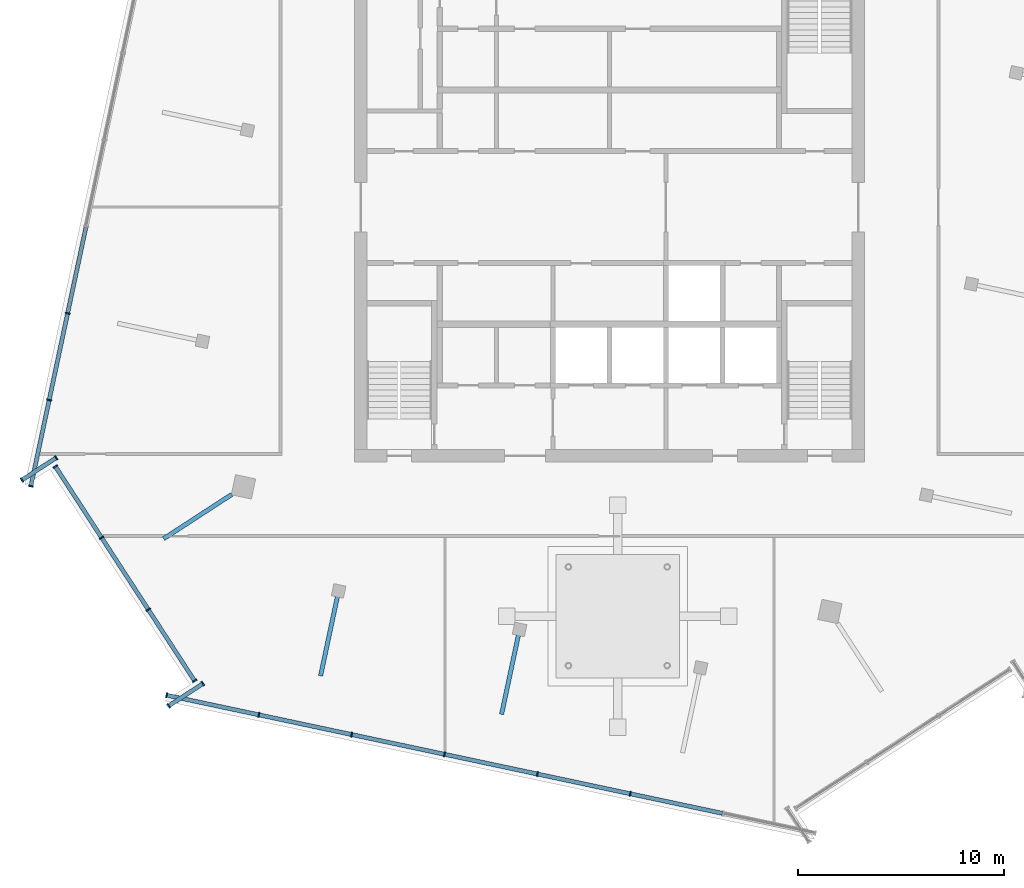
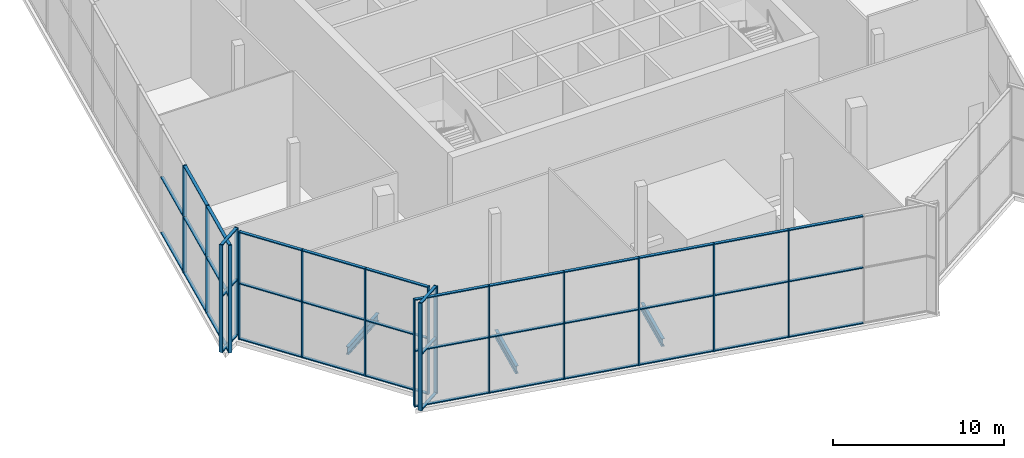
# One storey, part 2 of 14: 58 members, 3 beams, 5 elements without a shape of their own.
"""IFC4 building model written with IfcOpenShell, lengths in metres."""

from ifc_helpers import new_model, si_unit, direction, frame, origin, origin_2d, place, context, subcontext, project, spatial, rectangle, i_section, extrude, material, material_profile, profile_set, type_object, element, aggregate, save


model = new_model("IFC4")

# Units and contexts
model_context = context("Model", 3, precision=1e-05, world=origin(), true_north=direction((0.0, 1.0)))
body_context = subcontext(model_context, "Body", "Model", "MODEL_VIEW")
ifc_project = project(units=[si_unit("LENGTHUNIT", "METRE"), si_unit("AREAUNIT", "SQUARE_METRE"), si_unit("VOLUMEUNIT", "CUBIC_METRE"), si_unit("PLANEANGLEUNIT", "RADIAN"), si_unit("MASSUNIT", "GRAM", prefix="KILO")], contexts=[model_context])

# Site, building, storey
site_placement = place(None, origin())
site = spatial("IfcSite", under=ifc_project, at=site_placement, CompositionType="ELEMENT")
building_placement = place(site_placement, origin())
building = spatial("IfcBuilding", under=site, at=building_placement, Name="Dilmun Exchange Tower", CompositionType="ELEMENT")
storey_placement = place(building_placement, frame((0.0, 0.0, 350.10009765625)))
storey = spatial("IfcBuildingStorey", under=building, at=storey_placement, Name="Crown L83", CompositionType="ELEMENT", Elevation=350.10009765625)

# Curtain wall, members
ifc_material_1 = material(Name="Anodised aluminium and clear glass", Category="aluminium")
curtain_wall_type = type_object("IfcCurtainWallType", Name="Damper floor glazing", PredefinedType="NOTDEFINED", material=ifc_material_1)
curtain_wall_1_placement = place(storey_placement, origin())
curtain_wall_1 = element("IfcCurtainWall", 1, at=curtain_wall_1_placement, inside=storey, type_object=curtain_wall_type, Name="Damper floor glazing run DG1", PredefinedType="NOTDEFINED")
ifc_material_2 = material(Name="Anodised aluminium", Category="aluminium")
ifc_material_profile_1 = material_profile(ifc_material_2, rectangle(XDim=0.239990234375, YDim=0.070068359375, at=origin_2d()), Name="AL 70x240")
ifc_profile_set_1 = profile_set([ifc_material_profile_1], Name="Anodised aluminium")
member_type_1 = type_object("IfcMemberType", Name="Damper floor glazing mullion 70 x 240", PredefinedType="MULLION", material=ifc_profile_set_1)
member_1_placement = place(storey_placement, frame((-26.94482421875, -12.616943359375, 0.0), z_axis=(0.0, 0.0, 1.0), x_axis=(0.838668178887, 0.544642713825, 0.0)))
member_1 = element("IfcMember", 2, at=member_1_placement, type_object=member_type_1, Name="DG1 mullion 1", PredefinedType="MULLION", context=body_context, shape_type="SweptSolid", body=[
    extrude(rectangle(XDim=0.239990234375, YDim=0.070068359375, at=origin_2d()), origin(), (0.0, 0.0, 1.0), 7.699951171875),
])
member_2_placement = place(storey_placement, frame((-24.694580078125, -16.08203125, 0.0), z_axis=(0.0, 0.0, 1.0), x_axis=(0.838668178887, 0.544642713825, 0.0)))
member_2 = element("IfcMember", 3, at=member_2_placement, type_object=member_type_1, Name="DG1 mullion 2", PredefinedType="MULLION", context=body_context, shape_type="SweptSolid", body=[
    extrude(rectangle(XDim=0.239990234375, YDim=0.070068359375, at=origin_2d()), origin(), (0.0, 0.0, 1.0), 7.699951171875),
])
member_3_placement = place(storey_placement, frame((-22.42529296875, -19.57666015625, 0.0), z_axis=(0.0, 0.0, 1.0), x_axis=(0.838668178887, 0.544642713825, 0.0)))
member_3 = element("IfcMember", 4, at=member_3_placement, type_object=member_type_1, Name="DG1 mullion 3", PredefinedType="MULLION", context=body_context, shape_type="SweptSolid", body=[
    extrude(rectangle(XDim=0.239990234375, YDim=0.070068359375, at=origin_2d()), origin(), (0.0, 0.0, 1.0), 7.699951171875),
])
member_4_placement = place(storey_placement, frame((-20.175048828125, -23.041748046875, 0.0), z_axis=(0.0, 0.0, 1.0), x_axis=(0.838668178887, 0.544642713825, 0.0)))
member_4 = element("IfcMember", 5, at=member_4_placement, type_object=member_type_1, Name="DG1 mullion 4", PredefinedType="MULLION", context=body_context, shape_type="SweptSolid", body=[
    extrude(rectangle(XDim=0.239990234375, YDim=0.070068359375, at=origin_2d()), origin(), (0.0, 0.0, 1.0), 7.699951171875),
])

curtain_wall_2_placement = place(storey_placement, origin())
curtain_wall_2 = element("IfcCurtainWall", 6, at=curtain_wall_2_placement, inside=storey, type_object=curtain_wall_type, Name="Damper floor glazing run DG2", PredefinedType="NOTDEFINED")
member_5_placement = place(storey_placement, frame((-19.770263671875, -23.178466796875, 0.0), z_axis=(0.0, 0.0, 1.0), x_axis=(0.544619209645, -0.838683442358, 0.0)))
member_5 = element("IfcMember", 7, at=member_5_placement, type_object=member_type_1, Name="DG2 mullion 1", PredefinedType="MULLION", context=body_context, shape_type="SweptSolid", body=[
    extrude(rectangle(XDim=0.239990234375, YDim=0.070068359375, at=origin_2d()), origin(), (0.0, 0.0, 1.0), 7.699951171875),
])
member_6_placement = place(storey_placement, frame((-21.436767578125, -24.260498046875, 0.0), z_axis=(0.0, 0.0, 1.0), x_axis=(0.544619209645, -0.838683442358, 0.0)))
member_6 = element("IfcMember", 8, at=member_6_placement, type_object=member_type_1, Name="DG2 mullion 2", PredefinedType="MULLION", context=body_context, shape_type="SweptSolid", body=[
    extrude(rectangle(XDim=0.239990234375, YDim=0.070068359375, at=origin_2d()), origin(), (0.0, 0.0, 1.0), 7.699951171875),
])

curtain_wall_3_placement = place(storey_placement, origin())
curtain_wall_3 = element("IfcCurtainWall", 9, at=curtain_wall_3_placement, inside=storey, type_object=curtain_wall_type, Name="Damper floor glazing run DG3", PredefinedType="NOTDEFINED")
member_7_placement = place(storey_placement, frame((-21.532958984375, -23.741943359375, 0.0), z_axis=(0.0, 0.0, 1.0), x_axis=(0.207911409336, 0.978147660564, 0.0)))
member_7 = element("IfcMember", 10, at=member_7_placement, type_object=member_type_1, Name="DG3 mullion 1", PredefinedType="MULLION", context=body_context, shape_type="SweptSolid", body=[
    extrude(rectangle(XDim=0.239990234375, YDim=0.070068359375, at=origin_2d()), origin(), (0.0, 0.0, 1.0), 7.699951171875),
])
member_8_placement = place(storey_placement, frame((-17.050537109375, -24.694580078125, 0.0), z_axis=(0.0, 0.0, 1.0), x_axis=(0.207911409336, 0.978147660564, 0.0)))
member_8 = element("IfcMember", 11, at=member_8_placement, type_object=member_type_1, Name="DG3 mullion 2", PredefinedType="MULLION", context=body_context, shape_type="SweptSolid", body=[
    extrude(rectangle(XDim=0.239990234375, YDim=0.070068359375, at=origin_2d()), origin(), (0.0, 0.0, 1.0), 7.699951171875),
])
member_9_placement = place(storey_placement, frame((-12.533935546875, -25.654541015625, 0.0), z_axis=(0.0, 0.0, 1.0), x_axis=(0.207911409336, 0.978147660564, 0.0)))
member_9 = element("IfcMember", 12, at=member_9_placement, type_object=member_type_1, Name="DG3 mullion 3", PredefinedType="MULLION", context=body_context, shape_type="SweptSolid", body=[
    extrude(rectangle(XDim=0.239990234375, YDim=0.070068359375, at=origin_2d()), origin(), (0.0, 0.0, 1.0), 7.699951171875),
])
member_10_placement = place(storey_placement, frame((-8.017333984375, -26.61474609375, 0.0), z_axis=(0.0, 0.0, 1.0), x_axis=(0.207911409336, 0.978147660564, 0.0)))
member_10 = element("IfcMember", 13, at=member_10_placement, type_object=member_type_1, Name="DG3 mullion 4", PredefinedType="MULLION", context=body_context, shape_type="SweptSolid", body=[
    extrude(rectangle(XDim=0.239990234375, YDim=0.070068359375, at=origin_2d()), origin(), (0.0, 0.0, 1.0), 7.699951171875),
])
member_11_placement = place(storey_placement, frame((-3.5009765625, -27.57470703125, 0.0), z_axis=(0.0, 0.0, 1.0), x_axis=(0.207911409336, 0.978147660564, 0.0)))
member_11 = element("IfcMember", 14, at=member_11_placement, type_object=member_type_1, Name="DG3 mullion 5", PredefinedType="MULLION", context=body_context, shape_type="SweptSolid", body=[
    extrude(rectangle(XDim=0.239990234375, YDim=0.070068359375, at=origin_2d()), origin(), (0.0, 0.0, 1.0), 7.699951171875),
])
member_12_placement = place(storey_placement, frame((1.015625, -28.53466796875, 0.0), z_axis=(0.0, 0.0, 1.0), x_axis=(0.207911409336, 0.978147660564, 0.0)))
member_12 = element("IfcMember", 15, at=member_12_placement, type_object=member_type_1, Name="DG3 mullion 6", PredefinedType="MULLION", context=body_context, shape_type="SweptSolid", body=[
    extrude(rectangle(XDim=0.239990234375, YDim=0.070068359375, at=origin_2d()), origin(), (0.0, 0.0, 1.0), 7.699951171875),
])

curtain_wall_4_placement = place(storey_placement, origin())
curtain_wall_4 = element("IfcCurtainWall", 16, at=curtain_wall_4_placement, inside=storey, type_object=curtain_wall_type, Name="Damper floor glazing run DG15", PredefinedType="NOTDEFINED")
member_13_placement = place(storey_placement, frame((-26.349853515625, -5.166015625, 0.0), z_axis=(0.0, 0.0, 1.0), x_axis=(0.97814744202, -0.207912437508, 0.0)))
member_13 = element("IfcMember", 17, at=member_13_placement, type_object=member_type_1, Name="DG15 mullion 8", PredefinedType="MULLION", context=body_context, shape_type="SweptSolid", body=[
    extrude(rectangle(XDim=0.239990234375, YDim=0.070068359375, at=origin_2d()), origin(), (0.0, 0.0, 1.0), 7.699951171875),
])
member_14_placement = place(storey_placement, frame((-27.2470703125, -9.386474609375, 0.0), z_axis=(0.0, 0.0, 1.0), x_axis=(0.97814744202, -0.207912437508, 0.0)))
member_14 = element("IfcMember", 18, at=member_14_placement, type_object=member_type_1, Name="DG15 mullion 9", PredefinedType="MULLION", context=body_context, shape_type="SweptSolid", body=[
    extrude(rectangle(XDim=0.239990234375, YDim=0.070068359375, at=origin_2d()), origin(), (0.0, 0.0, 1.0), 7.699951171875),
])
member_15_placement = place(storey_placement, frame((-28.13671875, -13.57275390625, 0.0), z_axis=(0.0, 0.0, 1.0), x_axis=(0.97814744202, -0.207912437508, 0.0)))
member_15 = element("IfcMember", 19, at=member_15_placement, type_object=member_type_1, Name="DG15 mullion 10", PredefinedType="MULLION", context=body_context, shape_type="SweptSolid", body=[
    extrude(rectangle(XDim=0.239990234375, YDim=0.070068359375, at=origin_2d()), origin(), (0.0, 0.0, 1.0), 7.699951171875),
])

curtain_wall_5_placement = place(storey_placement, origin())
curtain_wall_5 = element("IfcCurtainWall", 20, at=curtain_wall_5_placement, inside=storey, type_object=curtain_wall_type, Name="Damper floor glazing run DG16", PredefinedType="NOTDEFINED")
member_16_placement = place(storey_placement, frame((-28.571533203125, -13.27392578125, 0.0), z_axis=(0.0, 0.0, 1.0), x_axis=(-0.544653402669, 0.838661237307, 0.0)))
member_16 = element("IfcMember", 21, at=member_16_placement, type_object=member_type_1, Name="DG16 mullion 1", PredefinedType="MULLION", context=body_context, shape_type="SweptSolid", body=[
    extrude(rectangle(XDim=0.239990234375, YDim=0.070068359375, at=origin_2d()), origin(), (0.0, 0.0, 1.0), 7.699951171875),
])
member_17_placement = place(storey_placement, frame((-26.905029296875, -12.191650390625, 0.0), z_axis=(0.0, 0.0, 1.0), x_axis=(-0.544653402669, 0.838661237307, 0.0)))
member_17 = element("IfcMember", 22, at=member_17_placement, type_object=member_type_1, Name="DG16 mullion 2", PredefinedType="MULLION", context=body_context, shape_type="SweptSolid", body=[
    extrude(rectangle(XDim=0.239990234375, YDim=0.070068359375, at=origin_2d()), origin(), (0.0, 0.0, 1.0), 7.699951171875),
])

# Member
ifc_material_profile_2 = material_profile(ifc_material_2, rectangle(XDim=0.199951171875, YDim=0.070068359375, at=origin_2d()), Name="AL 70x200")
ifc_profile_set_2 = profile_set([ifc_material_profile_2], Name="Anodised aluminium")
member_type_2 = type_object("IfcMemberType", Name="Damper floor glazing transom 70 x 200", PredefinedType="USERDEFINED", material=ifc_profile_set_2)
member_18_placement = place(storey_placement, frame((-26.92578125, -12.646484375, 0.034912109375), z_axis=(0.544658705871, -0.838657793214, 0.0), x_axis=(0.838657793214, 0.544658705871, 0.0)))
member_18 = element("IfcMember", 23, at=member_18_placement, type_object=member_type_2, Name="DG1 transom 1.1", ObjectType="TRANSOM", PredefinedType="USERDEFINED", context=body_context, shape_type="SweptSolid", body=[
    extrude(rectangle(XDim=0.199951171875, YDim=0.070068359375, at=origin_2d()), origin(), (0.0, 0.0, 1.0), 4.0615234375),
])

member_19_placement = place(storey_placement, frame((-26.92578125, -12.646484375, 4.0), z_axis=(0.544658705871, -0.838657793214, 0.0), x_axis=(0.838657793214, 0.544658705871, 0.0)))
member_19 = element("IfcMember", 24, at=member_19_placement, type_object=member_type_2, Name="DG1 transom 1.2", ObjectType="TRANSOM", PredefinedType="USERDEFINED", context=body_context, shape_type="SweptSolid", body=[
    extrude(rectangle(XDim=0.199951171875, YDim=0.070068359375, at=origin_2d()), origin(), (0.0, 0.0, 1.0), 4.0615234375),
])

member_20_placement = place(storey_placement, frame((-26.92578125, -12.646484375, 7.664794921875), z_axis=(0.544658705871, -0.838657793214, 0.0), x_axis=(0.838657793214, 0.544658705871, 0.0)))
member_20 = element("IfcMember", 25, at=member_20_placement, type_object=member_type_2, Name="DG1 transom 1.3", ObjectType="TRANSOM", PredefinedType="USERDEFINED", context=body_context, shape_type="SweptSolid", body=[
    extrude(rectangle(XDim=0.199951171875, YDim=0.070068359375, at=origin_2d()), origin(), (0.0, 0.0, 1.0), 4.0615234375),
])

member_21_placement = place(storey_placement, frame((-24.675537109375, -16.111572265625, 0.034912109375), z_axis=(0.544661518008, -0.83865596689, 0.0), x_axis=(0.83865596689, 0.544661518008, 0.0)))
member_21 = element("IfcMember", 26, at=member_21_placement, type_object=member_type_2, Name="DG1 transom 2.1", ObjectType="TRANSOM", PredefinedType="USERDEFINED", context=body_context, shape_type="SweptSolid", body=[
    extrude(rectangle(XDim=0.199951171875, YDim=0.070068359375, at=origin_2d()), origin(), (0.0, 0.0, 1.0), 4.096435546875),
])

member_22_placement = place(storey_placement, frame((-24.675537109375, -16.111572265625, 4.0), z_axis=(0.544661518008, -0.83865596689, 0.0), x_axis=(0.83865596689, 0.544661518008, 0.0)))
member_22 = element("IfcMember", 27, at=member_22_placement, type_object=member_type_2, Name="DG1 transom 2.2", ObjectType="TRANSOM", PredefinedType="USERDEFINED", context=body_context, shape_type="SweptSolid", body=[
    extrude(rectangle(XDim=0.199951171875, YDim=0.070068359375, at=origin_2d()), origin(), (0.0, 0.0, 1.0), 4.096435546875),
])

member_23_placement = place(storey_placement, frame((-24.675537109375, -16.111572265625, 7.664794921875), z_axis=(0.544661518008, -0.83865596689, 0.0), x_axis=(0.83865596689, 0.544661518008, 0.0)))
member_23 = element("IfcMember", 28, at=member_23_placement, type_object=member_type_2, Name="DG1 transom 2.3", ObjectType="TRANSOM", PredefinedType="USERDEFINED", context=body_context, shape_type="SweptSolid", body=[
    extrude(rectangle(XDim=0.199951171875, YDim=0.070068359375, at=origin_2d()), origin(), (0.0, 0.0, 1.0), 4.096435546875),
])

member_24_placement = place(storey_placement, frame((-22.40625, -19.60595703125, 0.034912109375), z_axis=(0.544658705871, -0.838657793214, 0.0), x_axis=(0.838657793214, 0.544658705871, 0.0)))
member_24 = element("IfcMember", 29, at=member_24_placement, type_object=member_type_2, Name="DG1 transom 3.1", ObjectType="TRANSOM", PredefinedType="USERDEFINED", context=body_context, shape_type="SweptSolid", body=[
    extrude(rectangle(XDim=0.199951171875, YDim=0.070068359375, at=origin_2d()), origin(), (0.0, 0.0, 1.0), 4.0615234375),
])

member_25_placement = place(storey_placement, frame((-22.40625, -19.60595703125, 4.0), z_axis=(0.544658705871, -0.838657793214, 0.0), x_axis=(0.838657793214, 0.544658705871, 0.0)))
member_25 = element("IfcMember", 30, at=member_25_placement, type_object=member_type_2, Name="DG1 transom 3.2", ObjectType="TRANSOM", PredefinedType="USERDEFINED", context=body_context, shape_type="SweptSolid", body=[
    extrude(rectangle(XDim=0.199951171875, YDim=0.070068359375, at=origin_2d()), origin(), (0.0, 0.0, 1.0), 4.0615234375),
])

member_26_placement = place(storey_placement, frame((-22.40625, -19.60595703125, 7.664794921875), z_axis=(0.544658705871, -0.838657793214, 0.0), x_axis=(0.838657793214, 0.544658705871, 0.0)))
member_26 = element("IfcMember", 31, at=member_26_placement, type_object=member_type_2, Name="DG1 transom 3.3", ObjectType="TRANSOM", PredefinedType="USERDEFINED", context=body_context, shape_type="SweptSolid", body=[
    extrude(rectangle(XDim=0.199951171875, YDim=0.070068359375, at=origin_2d()), origin(), (0.0, 0.0, 1.0), 4.0615234375),
])

aggregate(curtain_wall_1, [member_1, member_2, member_3, member_4, member_18, member_19, member_20, member_21, member_22, member_23, member_24, member_25, member_26])

member_27_placement = place(storey_placement, frame((-19.799560546875, -23.197509765625, 0.034912109375), z_axis=(-0.838728640731, -0.544549600329, 0.0), x_axis=(0.544549600329, -0.838728640731, 0.0)))
member_27 = element("IfcMember", 32, at=member_27_placement, type_object=member_type_2, Name="DG2 transom 1.1", ObjectType="TRANSOM", PredefinedType="USERDEFINED", context=body_context, shape_type="SweptSolid", body=[
    extrude(rectangle(XDim=0.199951171875, YDim=0.070068359375, at=origin_2d()), origin(), (0.0, 0.0, 1.0), 1.9169921875),
])

member_28_placement = place(storey_placement, frame((-19.799560546875, -23.197509765625, 4.0), z_axis=(-0.838728640731, -0.544549600329, 0.0), x_axis=(0.544549600329, -0.838728640731, 0.0)))
member_28 = element("IfcMember", 33, at=member_28_placement, type_object=member_type_2, Name="DG2 transom 1.2", ObjectType="TRANSOM", PredefinedType="USERDEFINED", context=body_context, shape_type="SweptSolid", body=[
    extrude(rectangle(XDim=0.199951171875, YDim=0.070068359375, at=origin_2d()), origin(), (0.0, 0.0, 1.0), 1.9169921875),
])

member_29_placement = place(storey_placement, frame((-19.799560546875, -23.197509765625, 7.664794921875), z_axis=(-0.838728640731, -0.544549600329, 0.0), x_axis=(0.544549600329, -0.838728640731, 0.0)))
member_29 = element("IfcMember", 34, at=member_29_placement, type_object=member_type_2, Name="DG2 transom 1.3", ObjectType="TRANSOM", PredefinedType="USERDEFINED", context=body_context, shape_type="SweptSolid", body=[
    extrude(rectangle(XDim=0.199951171875, YDim=0.070068359375, at=origin_2d()), origin(), (0.0, 0.0, 1.0), 1.9169921875),
])

aggregate(curtain_wall_2, [member_5, member_6, member_27, member_28, member_29])

member_30_placement = place(storey_placement, frame((-21.498779296875, -23.749267578125, 0.034912109375), z_axis=(0.978156513254, -0.207869756287, 0.0), x_axis=(0.207869756287, 0.978156513254, 0.0)))
member_30 = element("IfcMember", 35, at=member_30_placement, type_object=member_type_2, Name="DG3 transom 1.1", ObjectType="TRANSOM", PredefinedType="USERDEFINED", context=body_context, shape_type="SweptSolid", body=[
    extrude(rectangle(XDim=0.199951171875, YDim=0.070068359375, at=origin_2d()), origin(), (0.0, 0.0, 1.0), 4.512451171875),
])

member_31_placement = place(storey_placement, frame((-21.498779296875, -23.749267578125, 4.0), z_axis=(0.978156513254, -0.207869756287, 0.0), x_axis=(0.207869756287, 0.978156513254, 0.0)))
member_31 = element("IfcMember", 36, at=member_31_placement, type_object=member_type_2, Name="DG3 transom 1.2", ObjectType="TRANSOM", PredefinedType="USERDEFINED", context=body_context, shape_type="SweptSolid", body=[
    extrude(rectangle(XDim=0.199951171875, YDim=0.070068359375, at=origin_2d()), origin(), (0.0, 0.0, 1.0), 4.512451171875),
])

member_32_placement = place(storey_placement, frame((-21.498779296875, -23.749267578125, 7.664794921875), z_axis=(0.978156513254, -0.207869756287, 0.0), x_axis=(0.207869756287, 0.978156513254, 0.0)))
member_32 = element("IfcMember", 37, at=member_32_placement, type_object=member_type_2, Name="DG3 transom 1.3", ObjectType="TRANSOM", PredefinedType="USERDEFINED", context=body_context, shape_type="SweptSolid", body=[
    extrude(rectangle(XDim=0.199951171875, YDim=0.070068359375, at=origin_2d()), origin(), (0.0, 0.0, 1.0), 4.512451171875),
])

member_33_placement = place(storey_placement, frame((-17.016357421875, -24.701904296875, 0.034912109375), z_axis=(0.978142883679, -0.207933881579, 0.0), x_axis=(0.207933881579, 0.978142883679, 0.0)))
member_33 = element("IfcMember", 38, at=member_33_placement, type_object=member_type_2, Name="DG3 transom 2.1", ObjectType="TRANSOM", PredefinedType="USERDEFINED", context=body_context, shape_type="SweptSolid", body=[
    extrude(rectangle(XDim=0.199951171875, YDim=0.070068359375, at=origin_2d()), origin(), (0.0, 0.0, 1.0), 4.54736328125),
])

member_34_placement = place(storey_placement, frame((-17.016357421875, -24.701904296875, 4.0), z_axis=(0.978142883679, -0.207933881579, 0.0), x_axis=(0.207933881579, 0.978142883679, 0.0)))
member_34 = element("IfcMember", 39, at=member_34_placement, type_object=member_type_2, Name="DG3 transom 2.2", ObjectType="TRANSOM", PredefinedType="USERDEFINED", context=body_context, shape_type="SweptSolid", body=[
    extrude(rectangle(XDim=0.199951171875, YDim=0.070068359375, at=origin_2d()), origin(), (0.0, 0.0, 1.0), 4.54736328125),
])

member_35_placement = place(storey_placement, frame((-17.016357421875, -24.701904296875, 7.664794921875), z_axis=(0.978142883679, -0.207933881579, 0.0), x_axis=(0.207933881579, 0.978142883679, 0.0)))
member_35 = element("IfcMember", 40, at=member_35_placement, type_object=member_type_2, Name="DG3 transom 2.3", ObjectType="TRANSOM", PredefinedType="USERDEFINED", context=body_context, shape_type="SweptSolid", body=[
    extrude(rectangle(XDim=0.199951171875, YDim=0.070068359375, at=origin_2d()), origin(), (0.0, 0.0, 1.0), 4.54736328125),
])

member_36_placement = place(storey_placement, frame((-12.499755859375, -25.661865234375, 0.034912109375), z_axis=(0.978142883679, -0.207933881579, 0.0), x_axis=(0.207933881579, 0.978142883679, 0.0)))
member_36 = element("IfcMember", 41, at=member_36_placement, type_object=member_type_2, Name="DG3 transom 3.1", ObjectType="TRANSOM", PredefinedType="USERDEFINED", context=body_context, shape_type="SweptSolid", body=[
    extrude(rectangle(XDim=0.199951171875, YDim=0.070068359375, at=origin_2d()), origin(), (0.0, 0.0, 1.0), 4.54736328125),
])

member_37_placement = place(storey_placement, frame((-12.499755859375, -25.661865234375, 4.0), z_axis=(0.978142883679, -0.207933881579, 0.0), x_axis=(0.207933881579, 0.978142883679, 0.0)))
member_37 = element("IfcMember", 42, at=member_37_placement, type_object=member_type_2, Name="DG3 transom 3.2", ObjectType="TRANSOM", PredefinedType="USERDEFINED", context=body_context, shape_type="SweptSolid", body=[
    extrude(rectangle(XDim=0.199951171875, YDim=0.070068359375, at=origin_2d()), origin(), (0.0, 0.0, 1.0), 4.54736328125),
])

member_38_placement = place(storey_placement, frame((-12.499755859375, -25.661865234375, 7.664794921875), z_axis=(0.978142883679, -0.207933881579, 0.0), x_axis=(0.207933881579, 0.978142883679, 0.0)))
member_38 = element("IfcMember", 43, at=member_38_placement, type_object=member_type_2, Name="DG3 transom 3.3", ObjectType="TRANSOM", PredefinedType="USERDEFINED", context=body_context, shape_type="SweptSolid", body=[
    extrude(rectangle(XDim=0.199951171875, YDim=0.070068359375, at=origin_2d()), origin(), (0.0, 0.0, 1.0), 4.54736328125),
])

member_39_placement = place(storey_placement, frame((-7.983154296875, -26.6220703125, 0.034912109375), z_axis=(0.978153802017, -0.207882513936, 0.0), x_axis=(0.207882513936, 0.978153802017, 0.0)))
member_39 = element("IfcMember", 44, at=member_39_placement, type_object=member_type_2, Name="DG3 transom 4.1", ObjectType="TRANSOM", PredefinedType="USERDEFINED", context=body_context, shape_type="SweptSolid", body=[
    extrude(rectangle(XDim=0.199951171875, YDim=0.070068359375, at=origin_2d()), origin(), (0.0, 0.0, 1.0), 4.54736328125),
])

member_40_placement = place(storey_placement, frame((-7.983154296875, -26.6220703125, 4.0), z_axis=(0.978153802017, -0.207882513936, 0.0), x_axis=(0.207882513936, 0.978153802017, 0.0)))
member_40 = element("IfcMember", 45, at=member_40_placement, type_object=member_type_2, Name="DG3 transom 4.2", ObjectType="TRANSOM", PredefinedType="USERDEFINED", context=body_context, shape_type="SweptSolid", body=[
    extrude(rectangle(XDim=0.199951171875, YDim=0.070068359375, at=origin_2d()), origin(), (0.0, 0.0, 1.0), 4.54736328125),
])

member_41_placement = place(storey_placement, frame((-7.983154296875, -26.6220703125, 7.664794921875), z_axis=(0.978153802017, -0.207882513936, 0.0), x_axis=(0.207882513936, 0.978153802017, 0.0)))
member_41 = element("IfcMember", 46, at=member_41_placement, type_object=member_type_2, Name="DG3 transom 4.3", ObjectType="TRANSOM", PredefinedType="USERDEFINED", context=body_context, shape_type="SweptSolid", body=[
    extrude(rectangle(XDim=0.199951171875, YDim=0.070068359375, at=origin_2d()), origin(), (0.0, 0.0, 1.0), 4.54736328125),
])

member_42_placement = place(storey_placement, frame((-3.466552734375, -27.58203125, 0.034912109375), z_axis=(0.978142883679, -0.207933881579, 0.0), x_axis=(0.207933881579, 0.978142883679, 0.0)))
member_42 = element("IfcMember", 47, at=member_42_placement, type_object=member_type_2, Name="DG3 transom 5.1", ObjectType="TRANSOM", PredefinedType="USERDEFINED", context=body_context, shape_type="SweptSolid", body=[
    extrude(rectangle(XDim=0.199951171875, YDim=0.070068359375, at=origin_2d()), origin(), (0.0, 0.0, 1.0), 4.54736328125),
])

member_43_placement = place(storey_placement, frame((-3.466552734375, -27.58203125, 4.0), z_axis=(0.978142883679, -0.207933881579, 0.0), x_axis=(0.207933881579, 0.978142883679, 0.0)))
member_43 = element("IfcMember", 48, at=member_43_placement, type_object=member_type_2, Name="DG3 transom 5.2", ObjectType="TRANSOM", PredefinedType="USERDEFINED", context=body_context, shape_type="SweptSolid", body=[
    extrude(rectangle(XDim=0.199951171875, YDim=0.070068359375, at=origin_2d()), origin(), (0.0, 0.0, 1.0), 4.54736328125),
])

member_44_placement = place(storey_placement, frame((-3.466552734375, -27.58203125, 7.664794921875), z_axis=(0.978142883679, -0.207933881579, 0.0), x_axis=(0.207933881579, 0.978142883679, 0.0)))
member_44 = element("IfcMember", 49, at=member_44_placement, type_object=member_type_2, Name="DG3 transom 5.3", ObjectType="TRANSOM", PredefinedType="USERDEFINED", context=body_context, shape_type="SweptSolid", body=[
    extrude(rectangle(XDim=0.199951171875, YDim=0.070068359375, at=origin_2d()), origin(), (0.0, 0.0, 1.0), 4.54736328125),
])

member_45_placement = place(storey_placement, frame((1.050048828125, -28.5419921875, 0.034912109375), z_axis=(0.978142883679, -0.207933881579, 0.0), x_axis=(0.207933881579, 0.978142883679, 0.0)))
member_45 = element("IfcMember", 50, at=member_45_placement, type_object=member_type_2, Name="DG3 transom 6.1", ObjectType="TRANSOM", PredefinedType="USERDEFINED", context=body_context, shape_type="SweptSolid", body=[
    extrude(rectangle(XDim=0.199951171875, YDim=0.070068359375, at=origin_2d()), origin(), (0.0, 0.0, 1.0), 4.54736328125),
])

member_46_placement = place(storey_placement, frame((1.050048828125, -28.5419921875, 4.0), z_axis=(0.978142883679, -0.207933881579, 0.0), x_axis=(0.207933881579, 0.978142883679, 0.0)))
member_46 = element("IfcMember", 51, at=member_46_placement, type_object=member_type_2, Name="DG3 transom 6.2", ObjectType="TRANSOM", PredefinedType="USERDEFINED", context=body_context, shape_type="SweptSolid", body=[
    extrude(rectangle(XDim=0.199951171875, YDim=0.070068359375, at=origin_2d()), origin(), (0.0, 0.0, 1.0), 4.54736328125),
])

member_47_placement = place(storey_placement, frame((1.050048828125, -28.5419921875, 7.664794921875), z_axis=(0.978142883679, -0.207933881579, 0.0), x_axis=(0.207933881579, 0.978142883679, 0.0)))
member_47 = element("IfcMember", 52, at=member_47_placement, type_object=member_type_2, Name="DG3 transom 6.3", ObjectType="TRANSOM", PredefinedType="USERDEFINED", context=body_context, shape_type="SweptSolid", body=[
    extrude(rectangle(XDim=0.199951171875, YDim=0.070068359375, at=origin_2d()), origin(), (0.0, 0.0, 1.0), 4.54736328125),
])

aggregate(curtain_wall_3, [member_7, member_8, member_9, member_10, member_11, member_12, member_30, member_31, member_32, member_33, member_34, member_35, member_36, member_37, member_38, member_39, member_40, member_41, member_42, member_43, member_44, member_45, member_46, member_47])

member_48_placement = place(storey_placement, frame((-25.460205078125, -0.97998046875, 0.034912109375), z_axis=(-0.207871138275, -0.978156219564, 0.0), x_axis=(0.978156219564, -0.207871138275, 0.0)))
member_48 = element("IfcMember", 53, at=member_48_placement, type_object=member_type_2, Name="DG15 transom 7.1", ObjectType="TRANSOM", PredefinedType="USERDEFINED", context=body_context, shape_type="SweptSolid", body=[
    extrude(rectangle(XDim=0.199951171875, YDim=0.070068359375, at=origin_2d()), origin(), (0.0, 0.0, 1.0), 4.24462890625),
])

member_49_placement = place(storey_placement, frame((-25.460205078125, -0.97998046875, 4.0), z_axis=(-0.207871138275, -0.978156219564, 0.0), x_axis=(0.978156219564, -0.207871138275, 0.0)))
member_49 = element("IfcMember", 54, at=member_49_placement, type_object=member_type_2, Name="DG15 transom 7.2", ObjectType="TRANSOM", PredefinedType="USERDEFINED", context=body_context, shape_type="SweptSolid", body=[
    extrude(rectangle(XDim=0.199951171875, YDim=0.070068359375, at=origin_2d()), origin(), (0.0, 0.0, 1.0), 4.24462890625),
])

member_50_placement = place(storey_placement, frame((-26.357177734375, -5.200439453125, 0.034912109375), z_axis=(-0.207926170199, -0.978144522934, 0.0), x_axis=(0.978144522934, -0.207926170199, 0.0)))
member_50 = element("IfcMember", 55, at=member_50_placement, type_object=member_type_2, Name="DG15 transom 8.1", ObjectType="TRANSOM", PredefinedType="USERDEFINED", context=body_context, shape_type="SweptSolid", body=[
    extrude(rectangle(XDim=0.199951171875, YDim=0.070068359375, at=origin_2d()), origin(), (0.0, 0.0, 1.0), 4.24462890625),
])

member_51_placement = place(storey_placement, frame((-26.357177734375, -5.200439453125, 4.0), z_axis=(-0.207926170199, -0.978144522934, 0.0), x_axis=(0.978144522934, -0.207926170199, 0.0)))
member_51 = element("IfcMember", 56, at=member_51_placement, type_object=member_type_2, Name="DG15 transom 8.2", ObjectType="TRANSOM", PredefinedType="USERDEFINED", context=body_context, shape_type="SweptSolid", body=[
    extrude(rectangle(XDim=0.199951171875, YDim=0.070068359375, at=origin_2d()), origin(), (0.0, 0.0, 1.0), 4.24462890625),
])

member_52_placement = place(storey_placement, frame((-26.357177734375, -5.200439453125, 7.664794921875), z_axis=(-0.207926170199, -0.978144522934, 0.0), x_axis=(0.978144522934, -0.207926170199, 0.0)))
member_52 = element("IfcMember", 57, at=member_52_placement, type_object=member_type_2, Name="DG15 transom 8.3", ObjectType="TRANSOM", PredefinedType="USERDEFINED", context=body_context, shape_type="SweptSolid", body=[
    extrude(rectangle(XDim=0.199951171875, YDim=0.070068359375, at=origin_2d()), origin(), (0.0, 0.0, 1.0), 4.24462890625),
])

member_53_placement = place(storey_placement, frame((-27.25439453125, -9.4208984375, 0.034912109375), z_axis=(-0.207912857784, -0.978147352687, 0.0), x_axis=(0.978147352687, -0.207912857784, 0.0)))
member_53 = element("IfcMember", 58, at=member_53_placement, type_object=member_type_2, Name="DG15 transom 9.1", ObjectType="TRANSOM", PredefinedType="USERDEFINED", context=body_context, shape_type="SweptSolid", body=[
    extrude(rectangle(XDim=0.199951171875, YDim=0.070068359375, at=origin_2d()), origin(), (0.0, 0.0, 1.0), 4.209716796875),
])

member_54_placement = place(storey_placement, frame((-27.25439453125, -9.4208984375, 4.0), z_axis=(-0.207912857784, -0.978147352687, 0.0), x_axis=(0.978147352687, -0.207912857784, 0.0)))
member_54 = element("IfcMember", 59, at=member_54_placement, type_object=member_type_2, Name="DG15 transom 9.2", ObjectType="TRANSOM", PredefinedType="USERDEFINED", context=body_context, shape_type="SweptSolid", body=[
    extrude(rectangle(XDim=0.199951171875, YDim=0.070068359375, at=origin_2d()), origin(), (0.0, 0.0, 1.0), 4.209716796875),
])

member_55_placement = place(storey_placement, frame((-27.25439453125, -9.4208984375, 7.664794921875), z_axis=(-0.207912857784, -0.978147352687, 0.0), x_axis=(0.978147352687, -0.207912857784, 0.0)))
member_55 = element("IfcMember", 60, at=member_55_placement, type_object=member_type_2, Name="DG15 transom 9.3", ObjectType="TRANSOM", PredefinedType="USERDEFINED", context=body_context, shape_type="SweptSolid", body=[
    extrude(rectangle(XDim=0.199951171875, YDim=0.070068359375, at=origin_2d()), origin(), (0.0, 0.0, 1.0), 4.209716796875),
])

aggregate(curtain_wall_4, [member_13, member_14, member_15, member_48, member_49, member_50, member_51, member_52, member_53, member_54, member_55])

member_56_placement = place(storey_placement, frame((-28.542236328125, -13.2548828125, 0.034912109375), z_axis=(0.838728640731, 0.544549600329, 0.0), x_axis=(-0.544549600329, 0.838728640731, 0.0)))
member_56 = element("IfcMember", 61, at=member_56_placement, type_object=member_type_2, Name="DG16 transom 1.1", ObjectType="TRANSOM", PredefinedType="USERDEFINED", context=body_context, shape_type="SweptSolid", body=[
    extrude(rectangle(XDim=0.199951171875, YDim=0.070068359375, at=origin_2d()), origin(), (0.0, 0.0, 1.0), 1.9169921875),
])

member_57_placement = place(storey_placement, frame((-28.542236328125, -13.2548828125, 4.0), z_axis=(0.838728640731, 0.544549600329, 0.0), x_axis=(-0.544549600329, 0.838728640731, 0.0)))
member_57 = element("IfcMember", 62, at=member_57_placement, type_object=member_type_2, Name="DG16 transom 1.2", ObjectType="TRANSOM", PredefinedType="USERDEFINED", context=body_context, shape_type="SweptSolid", body=[
    extrude(rectangle(XDim=0.199951171875, YDim=0.070068359375, at=origin_2d()), origin(), (0.0, 0.0, 1.0), 1.9169921875),
])

member_58_placement = place(storey_placement, frame((-28.542236328125, -13.2548828125, 7.664794921875), z_axis=(0.838728640731, 0.544549600329, 0.0), x_axis=(-0.544549600329, 0.838728640731, 0.0)))
member_58 = element("IfcMember", 63, at=member_58_placement, type_object=member_type_2, Name="DG16 transom 1.3", ObjectType="TRANSOM", PredefinedType="USERDEFINED", context=body_context, shape_type="SweptSolid", body=[
    extrude(rectangle(XDim=0.199951171875, YDim=0.070068359375, at=origin_2d()), origin(), (0.0, 0.0, 1.0), 1.9169921875),
])

aggregate(curtain_wall_5, [member_16, member_17, member_56, member_57, member_58])

# Beams
ifc_material_3 = material(Name="Steel S355", Category="steel")
ifc_material_profile_3 = material_profile(ifc_material_3, i_section(OverallWidth=0.2099609375, OverallDepth=0.550048828125, WebThickness=0.010986328125, FlangeThickness=0.01708984375, FilletRadius=0.02392578125, at=origin_2d()), Name="IPE 550")
ifc_profile_set_3 = profile_set([ifc_material_profile_3], Name="Steel S355")
beam_type = type_object("IfcBeamType", Name="crown cantilever beam IPE 550", PredefinedType="BEAM", material=ifc_profile_set_3)
beam_1_placement = place(storey_placement, frame((-18.368408203125, -13.977294921875, -0.5751953125), z_axis=(-0.838665249911, -0.544647223982, 0.0), x_axis=(0.544647223982, -0.838665249911, 0.0)))
element("IfcBeam", 64, at=beam_1_placement, inside=storey, type_object=beam_type, Name="Crown cantilever beam 5", PredefinedType="BEAM", context=body_context, shape_type="SweptSolid", body=[
    extrude(i_section(OverallWidth=0.2099609375, OverallDepth=0.550048828125, WebThickness=0.010986328125, FlangeThickness=0.01708984375, FilletRadius=0.02392578125, at=origin_2d()), origin(), (0.0, 0.0, 1.0), 3.949951171875),
])
beam_2_placement = place(storey_placement, frame((-13.225830078125, -18.93701171875, -0.5751953125), z_axis=(-0.207916413008, -0.978146596989, 0.0), x_axis=(0.978146596989, -0.207916413008, 0.0)))
element("IfcBeam", 65, at=beam_2_placement, inside=storey, type_object=beam_type, Name="Crown cantilever beam 6", PredefinedType="BEAM", context=body_context, shape_type="SweptSolid", body=[
    extrude(i_section(OverallWidth=0.2099609375, OverallDepth=0.550048828125, WebThickness=0.010986328125, FlangeThickness=0.01708984375, FilletRadius=0.02392578125, at=origin_2d()), origin(), (0.0, 0.0, 1.0), 3.9501953125),
])
beam_3_placement = place(storey_placement, frame((-4.4228515625, -20.80810546875, -0.5751953125), z_axis=(-0.20786984461, -0.978156494484, 0.0), x_axis=(0.978156494484, -0.20786984461, 0.0)))
element("IfcBeam", 66, at=beam_3_placement, inside=storey, type_object=beam_type, Name="Crown cantilever beam 7", PredefinedType="BEAM", context=body_context, shape_type="SweptSolid", body=[
    extrude(i_section(OverallWidth=0.2099609375, OverallDepth=0.550048828125, WebThickness=0.010986328125, FlangeThickness=0.01708984375, FilletRadius=0.02392578125, at=origin_2d()), origin(), (0.0, 0.0, 1.0), 3.94970703125),
])

save(model, "model.ifc")
